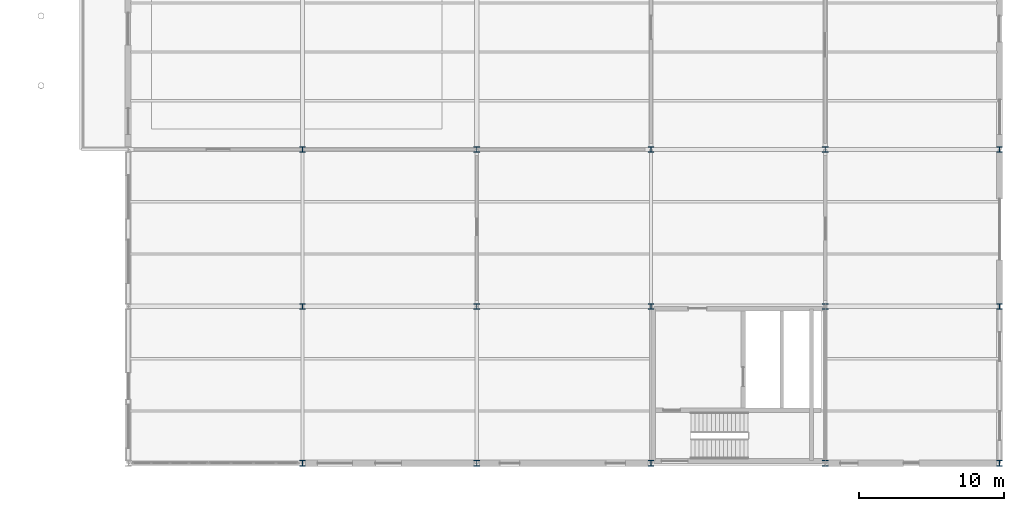
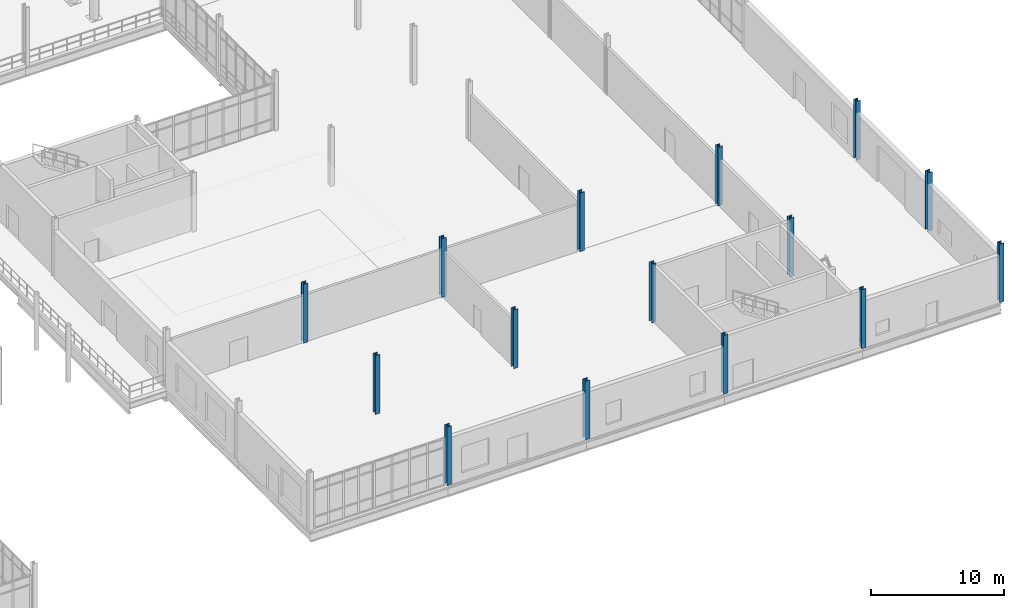
# One storey, part 15 of 111: 15 columns.
"""IFC4 building model written with IfcOpenShell, lengths in metres."""

from ifc_helpers import new_model, si_unit, direction, frame, origin, origin_2d, place, context, subcontext, project, spatial, i_section, extrude, material, material_profile, profile_set, type_object, element, save


model = new_model("IFC4")

# Units and contexts
model_context = context("Model", 3, precision=1e-05, world=origin(), true_north=direction((0.0, 1.0)))
body_context = subcontext(model_context, "Body", "Model", "MODEL_VIEW")
ifc_project = project(units=[si_unit("LENGTHUNIT", "METRE"), si_unit("AREAUNIT", "SQUARE_METRE"), si_unit("VOLUMEUNIT", "CUBIC_METRE"), si_unit("PLANEANGLEUNIT", "RADIAN"), si_unit("MASSUNIT", "GRAM", prefix="KILO"), si_unit("THERMODYNAMICTEMPERATUREUNIT", "KELVIN"), si_unit("POWERUNIT", "WATT")], contexts=[model_context])

# Site, building, storey
site_placement = place(None, origin())
site = spatial("IfcSite", under=ifc_project, at=site_placement, CompositionType="ELEMENT")
building_placement = place(site_placement, origin())
building = spatial("IfcBuilding", under=site, at=building_placement, Name="Tembeka Court Mobility Hub", CompositionType="ELEMENT")
storey_placement = place(building_placement, origin())
storey = spatial("IfcBuildingStorey", under=building, at=storey_placement, Name="L00", CompositionType="ELEMENT", Elevation=0.0)

# Columns
ifc_material = material(Name="Steel S355", Category="steel")
ifc_material_profile = material_profile(ifc_material, i_section(OverallWidth=0.39501953125, OverallDepth=0.381103515625, WebThickness=0.018310546875, FlangeThickness=0.0302734375, FilletRadius=0.01513671875, at=origin_2d()), Name="UKC 356x406x235")
ifc_profile_set = profile_set([ifc_material_profile], Name="Steel S355")
column_type = type_object("IfcColumnType", Name="COL-C02", PredefinedType="COLUMN", material=ifc_profile_set)
for number, where, z_axis, x_axis, name in (
    (1, (128.39990234375, 0.0, 0.0), (0.0, 0.0, 1.0), (1.0, 0.0, 0.0), "Column C02 (L00-173)"),
    (2, (128.39990234375, 10.800048828125, 0.0), (0.0, 0.0, 1.0), (1.0, 0.0, 0.0), "Column C02 (L00-174)"),
    (3, (128.39990234375, 21.60009765625, 0.0), (0.0, 0.0, 1.0), (1.0, 0.0, 0.0), "Column C02 (L00-175)"),
    (4, (140.39990234375, 0.0, 0.0), (0.0, 0.0, 1.0), (1.0, 0.0, 0.0), "Column C02 (L00-193)"),
    (5, (140.39990234375, 10.800048828125, 0.0), (0.0, 0.0, 1.0), (1.0, 0.0, 0.0), "Column C02 (L00-194)"),
    (6, (140.39990234375, 21.60009765625, 0.0), (0.0, 0.0, 1.0), (1.0, 0.0, 0.0), "Column C02 (L00-195)"),
    (7, (152.39990234375, 0.0, 0.0), (0.0, 0.0, 1.0), (1.0, 0.0, 0.0), "Column C02 (L00-206)"),
    (8, (152.39990234375, 10.800048828125, 0.0), (0.0, 0.0, 1.0), (1.0, 0.0, 0.0), "Column C02 (L00-207)"),
    (9, (152.39990234375, 21.60009765625, 0.0), (0.0, 0.0, 1.0), (1.0, 0.0, 0.0), "Column C02 (L00-208)"),
    (10, (164.39990234375, 0.0, 0.0), (0.0, 0.0, 1.0), (1.0, 0.0, 0.0), "Column C02 (L00-220)"),
    (11, (164.39990234375, 10.800048828125, 0.0), (0.0, 0.0, 1.0), (1.0, 0.0, 0.0), "Column C02 (L00-221)"),
    (12, (164.39990234375, 21.60009765625, 0.0), (0.0, 0.0, 1.0), (1.0, 0.0, 0.0), "Column C02 (L00-222)"),
    (13, (176.39990234375, 0.0, 0.0), (0.0, 0.0, 1.0), (1.0, 0.0, 0.0), "Column C02 (L00-239)"),
    (14, (176.39990234375, 10.800048828125, 0.0), (0.0, 0.0, 1.0), (1.0, 0.0, 0.0), "Column C02 (L00-240)"),
    (15, (176.39990234375, 21.60009765625, 0.0), (0.0, 0.0, 1.0), (1.0, 0.0, 0.0), "Column C02 (L00-241)"),
):
    element("IfcColumn", number, at=place(storey_placement, frame(where, z_axis=z_axis, x_axis=x_axis)), inside=storey, type_object=column_type, Name=name, PredefinedType="COLUMN", context=body_context, shape_type="SweptSolid", body=[
        extrude(i_section(OverallWidth=0.39501953125, OverallDepth=0.381103515625, WebThickness=0.018310546875, FlangeThickness=0.0302734375, FilletRadius=0.01513671875, at=origin_2d()), origin(), (0.0, 0.0, 1.0), 5.39990234375),
    ])

save(model, "model.ifc")
